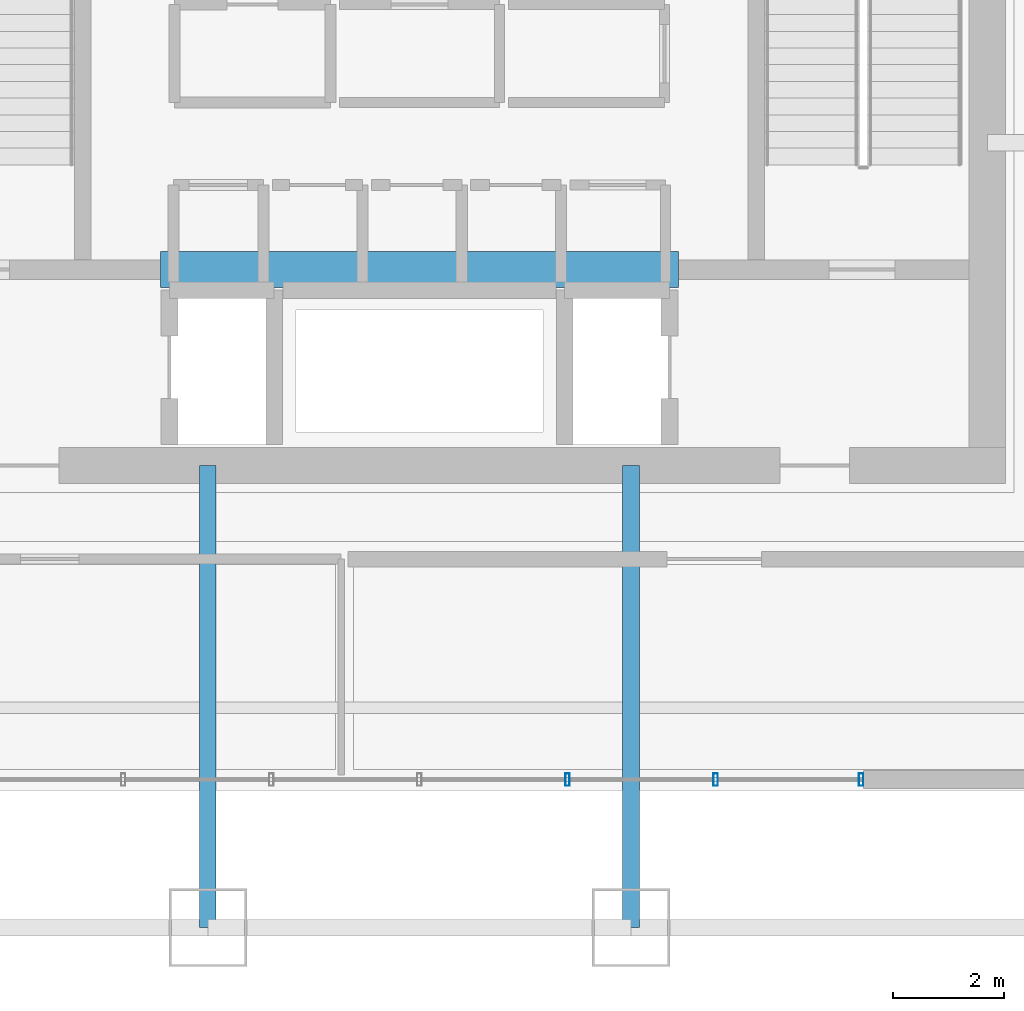
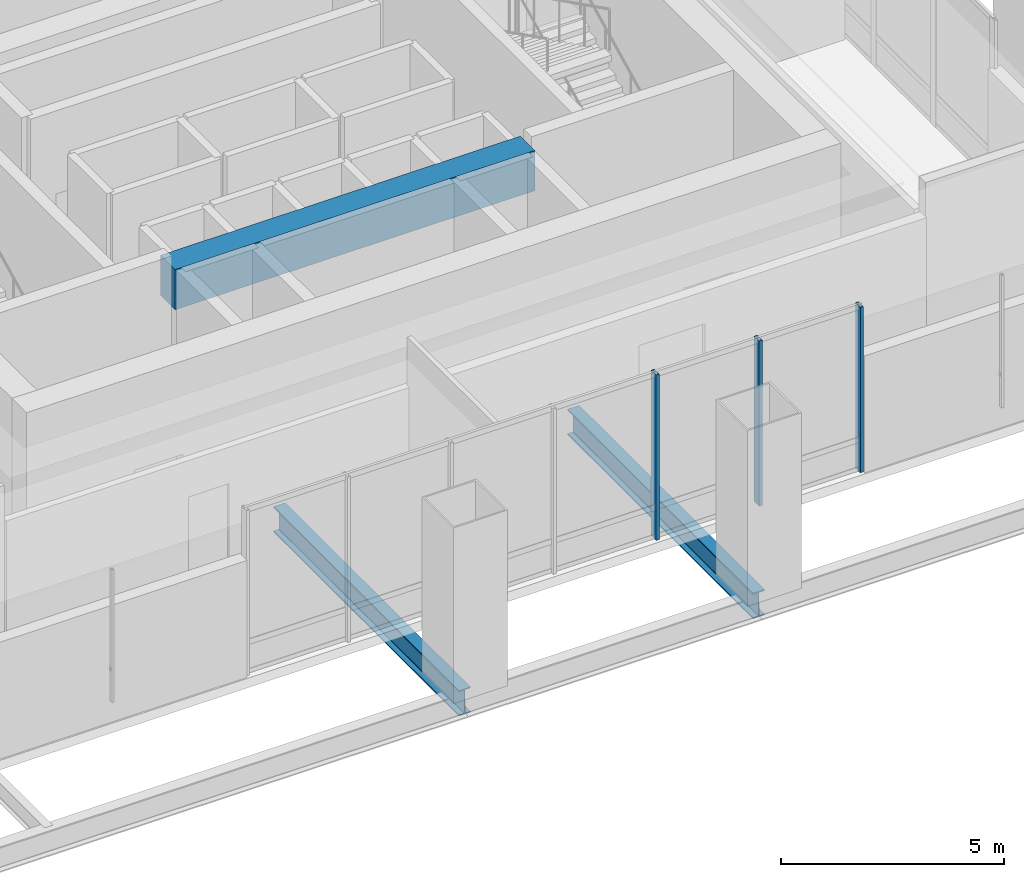
# One storey, part 5 of 30: 3 beams, 3 members, 1 element without a shape of its own.
"""IFC4 building model written with IfcOpenShell, lengths in metres."""

from ifc_helpers import new_model, si_unit, direction, frame, origin, origin_2d, place, context, subcontext, project, spatial, rectangle, hollow_rectangle, i_section, extrude, material, material_profile, profile_set, type_object, element, aggregate, save


model = new_model("IFC4")

# Units and contexts
model_context = context("Model", 3, precision=1e-05, world=origin(), true_north=direction((0.0, 1.0)))
body_context = subcontext(model_context, "Body", "Model", "MODEL_VIEW")
ifc_project = project(units=[si_unit("LENGTHUNIT", "METRE"), si_unit("AREAUNIT", "SQUARE_METRE"), si_unit("VOLUMEUNIT", "CUBIC_METRE"), si_unit("PLANEANGLEUNIT", "RADIAN"), si_unit("MASSUNIT", "GRAM", prefix="KILO")], contexts=[model_context])

# Site, building, storey
site_placement = place(None, origin())
site = spatial("IfcSite", under=ifc_project, at=site_placement, CompositionType="ELEMENT")
building_placement = place(site_placement, origin())
building = spatial("IfcBuilding", under=site, at=building_placement, Name="Punatoya Terracotta Tower", CompositionType="ELEMENT")
storey_placement = place(building_placement, frame((0.0, 0.0, 135.0)))
storey = spatial("IfcBuildingStorey", under=building, at=storey_placement, Name="L31", CompositionType="ELEMENT", Elevation=135.0)

# Beams
ifc_material_1 = material(Name="Steel S355", Category="steel")
ifc_material_profile_1 = material_profile(ifc_material_1, i_section(OverallWidth=0.300048828125, OverallDepth=0.699951171875, WebThickness=0.01708984375, FlangeThickness=0.031982421875, FilletRadius=0.01806640625, at=origin_2d()))
ifc_profile_set_1 = profile_set([ifc_material_profile_1], Name="Steel S355")
beam_type_1 = type_object("IfcBeamType", Name="BM-PRI-700", PredefinedType="BEAM", material=ifc_profile_set_1)
for number, where, z_axis, x_axis, name in (
    (1, (-3.800048828125, -17.5, -0.610107421875), (0.0, 1.0, 0.0), (-1.0, 0.0, 0.0), "BM-L31-PR-S2"),
    (2, (3.800048828125, -17.5, -0.610107421875), (0.0, 1.0, 0.0), (-1.0, 0.0, 0.0), "BM-L31-PR-S3"),
):
    element("IfcBeam", number, at=place(storey_placement, frame(where, z_axis=z_axis, x_axis=x_axis)), inside=storey, type_object=beam_type_1, Name=name, PredefinedType="BEAM", context=body_context, shape_type="SweptSolid", body=[
        extrude(i_section(OverallWidth=0.300048828125, OverallDepth=0.699951171875, WebThickness=0.01708984375, FlangeThickness=0.031982421875, FilletRadius=0.01806640625, at=origin_2d()), origin(), (0.0, 0.0, 1.0), 8.300048828125),
    ])
ifc_material_2 = material(Name="Concrete C60/75", Category="concrete")
ifc_material_profile_2 = material_profile(ifc_material_2, rectangle(XDim=0.64990234375, YDim=1.10009765625, at=origin_2d()))
ifc_profile_set_2 = profile_set([ifc_material_profile_2], Name="Concrete C60/75")
beam_type_2 = type_object("IfcBeamType", Name="BM-RC-1100", PredefinedType="LINTEL", material=ifc_profile_set_2)
beam_placement = place(storey_placement, frame((-4.64990234375, -5.679931640625, 3.969970703125), z_axis=(1.0, 0.0, 0.0), x_axis=(0.0, 1.0, 0.0)))
element("IfcBeam", 3, at=beam_placement, inside=storey, type_object=beam_type_2, Name="L31 Core Coupling Lintel CSW", PredefinedType="LINTEL", context=body_context, shape_type="SweptSolid", body=[
    extrude(rectangle(XDim=0.64990234375, YDim=1.10009765625, at=origin_2d()), origin(), (0.0, 0.0, 1.0), 9.2998046875),
])

# Curtain wall, members
ifc_material_3 = material(Name="Aluminium 6063-T6 + Double Low-E Glass", Category="aluminium")
curtain_wall_type = type_object("IfcCurtainWallType", Name="CW-NCK", PredefinedType="NOTDEFINED", material=ifc_material_3)
curtain_wall_placement = place(storey_placement, origin())
curtain_wall = element("IfcCurtainWall", 4, at=curtain_wall_placement, inside=storey, type_object=curtain_wall_type, Name="L31 Curtain Wall CW-L31-S01-1", PredefinedType="NOTDEFINED")
ifc_material_4 = material(Name="Aluminium 6063-T6", Category="aluminium")
ifc_material_profile_3 = material_profile(ifc_material_4, hollow_rectangle(XDim=0.080078125, YDim=0.22509765625, WallThickness=0.0048828125, at=origin_2d()))
ifc_profile_set_3 = profile_set([ifc_material_profile_3], Name="Aluminium 6063-T6")
member_type = type_object("IfcMemberType", Name="CW-MUL-NCK", PredefinedType="MULLION", material=ifc_profile_set_3)
member_1_placement = place(storey_placement, frame((2.659912109375, -14.840087890625, 0.0), z_axis=(0.0, 0.0, 1.0), x_axis=(1.0, 0.0, 0.0)))
member_1 = element("IfcMember", 5, at=member_1_placement, type_object=member_type, Name="CW-L31-S01-1 Mullion 04", PredefinedType="MULLION", context=body_context, shape_type="SweptSolid", body=[
    extrude(hollow_rectangle(XDim=0.080078125, YDim=0.22509765625, WallThickness=0.0048828125, at=origin_2d()), origin(), (0.0, 0.0, 1.0), 4.52001953125),
])
member_2_placement = place(storey_placement, frame((5.320068359375, -14.840087890625, 0.0), z_axis=(0.0, 0.0, 1.0), x_axis=(1.0, 0.0, 0.0)))
member_2 = element("IfcMember", 6, at=member_2_placement, type_object=member_type, Name="CW-L31-S01-1 Mullion 05", PredefinedType="MULLION", context=body_context, shape_type="SweptSolid", body=[
    extrude(hollow_rectangle(XDim=0.080078125, YDim=0.22509765625, WallThickness=0.0048828125, at=origin_2d()), origin(), (0.0, 0.0, 1.0), 4.52001953125),
])
member_3_placement = place(storey_placement, frame((7.93505859375, -14.840087890625, 0.0), z_axis=(0.0, 0.0, 1.0), x_axis=(1.0, 0.0, 0.0)))
member_3 = element("IfcMember", 7, at=member_3_placement, type_object=member_type, Name="CW-L31-S01-1 Mullion 06", PredefinedType="MULLION", context=body_context, shape_type="SweptSolid", body=[
    extrude(hollow_rectangle(XDim=0.080078125, YDim=0.22509765625, WallThickness=0.0048828125, at=origin_2d()), origin(), (0.0, 0.0, 1.0), 4.52001953125),
])
aggregate(curtain_wall, [member_1, member_2, member_3])

save(model, "model.ifc")
